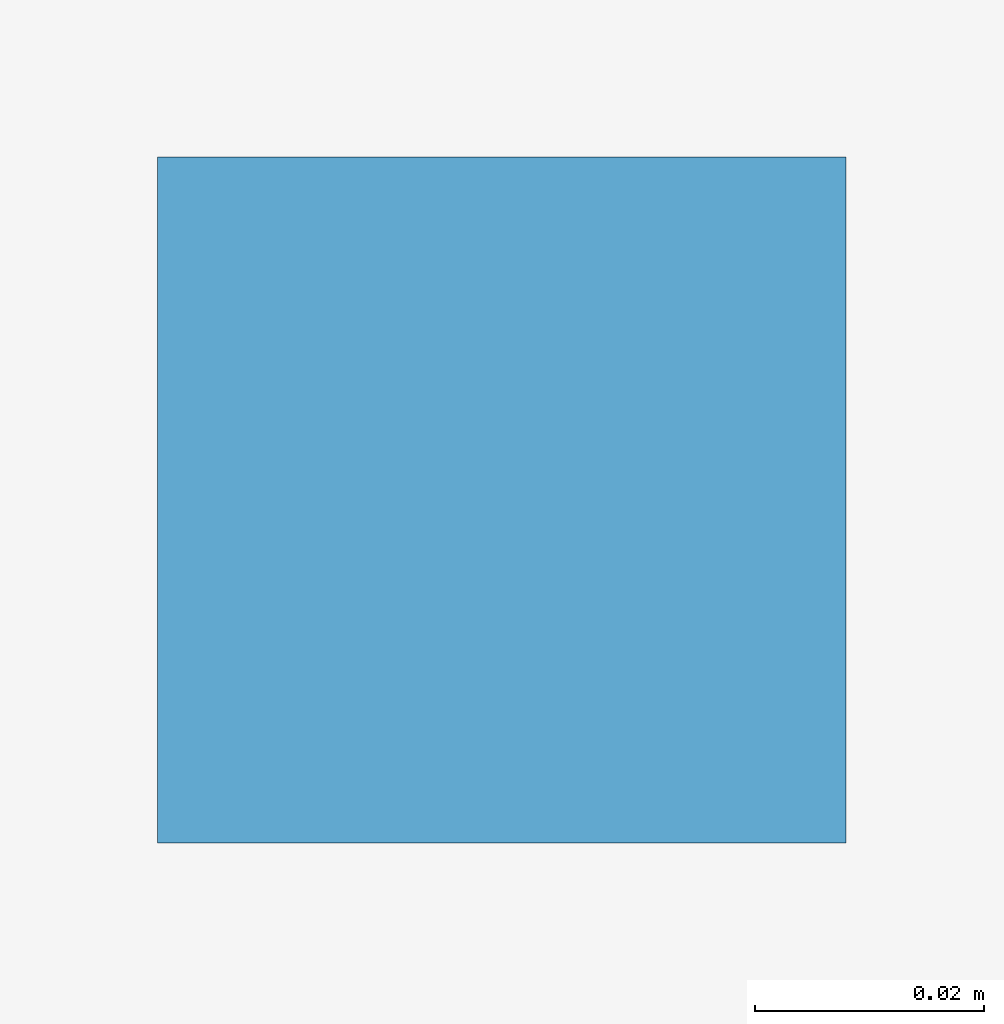
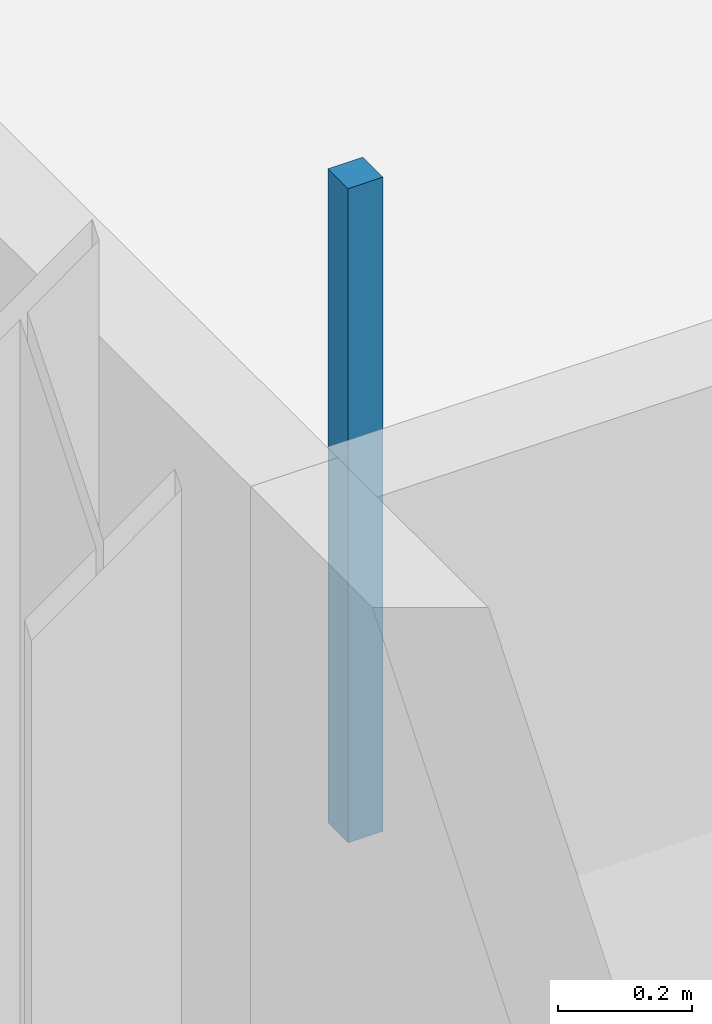
# One storey, part 86 of 107: 1 discrete accessory.
"""IFC4 building model written with IfcOpenShell, lengths in metres."""

import ifcopenshell
import ifcopenshell.guid

model = None  # the IFC model being written
_history = None  # IfcOwnerHistory: only IFC2X3 demands one
_inside = {}  # id of a spatial element -> (the spatial element, [elements in it])
_under = {}  # id of a project, library or spatial element -> (it, [spatial elements below it])
_declared = {}  # id of a project -> (the project, [libraries it declares])
_typed = {}  # id of a type object -> (the type object, [elements of that type])
_made_of = {}  # id of a material, layer set ... -> (it, [elements and type objects made of it])


def new_model(schema):
    """Start an empty IFC model of exactly this schema.

    Asked for "IFC4X3", IfcOpenShell would pick the latest addendum, in which some entities
    have other attributes; the version numbers below select the first issue.
    IFC2X3 requires an IfcOwnerHistory on every rooted entity: one is made here for all.
    """
    global model, _history
    if schema == "IFC4X3":
        model = ifcopenshell.file(schema_version=(4, 3, 0, 0))
    else:
        model = ifcopenshell.file(schema=schema)
    _inside.clear()
    _under.clear()
    _declared.clear()
    _typed.clear()
    _made_of.clear()
    _history = None
    if model.schema == "IFC2X3":
        org = make("IfcOrganization", Name="unknown")
        user = make(
            "IfcPersonAndOrganization",
            ThePerson=make("IfcPerson", FamilyName="unknown"),
            TheOrganization=org,
        )
        app = make(
            "IfcApplication",
            ApplicationDeveloper=org,
            Version="unknown",
            ApplicationFullName="unknown",
            ApplicationIdentifier="unknown",
        )
        _history = make(
            "IfcOwnerHistory",
            OwningUser=user,
            OwningApplication=app,
            ChangeAction="ADDED",
            CreationDate=0,
        )
    return model


def make(cls, **values):
    """One entity of the class cls with the attributes given. An attribute that is None is left unset."""
    return model.create_entity(
        cls, **{name: value for name, value in values.items() if value is not None}
    )


def rooted(cls, **values):
    """An entity with a GlobalId (a new one), such as an element, a storey or a relation."""
    return make(cls, GlobalId=ifcopenshell.guid.new(), OwnerHistory=_history, **values)


def si_unit(unit_type, name, prefix=None):
    """IfcSIUnit, for example si_unit("LENGTHUNIT", "METRE", prefix="MILLI")."""
    return make("IfcSIUnit", UnitType=unit_type, Prefix=prefix, Name=name)


def assignment(units):
    """IfcUnitAssignment: the units of a project."""
    return None if units is None else make("IfcUnitAssignment", Units=units)


def point(xyz):
    """IfcCartesianPoint."""
    return None if xyz is None else make("IfcCartesianPoint", Coordinates=xyz)


def direction(xyz):
    """IfcDirection."""
    return None if xyz is None else make("IfcDirection", DirectionRatios=xyz)


def frame(location, z_axis=None, x_axis=None):
    """IfcAxis2Placement3D, a coordinate frame: its origin and axes. An axis left out is left unset."""
    return make(
        "IfcAxis2Placement3D",
        Location=point(location),
        Axis=direction(z_axis),
        RefDirection=direction(x_axis),
    )


def origin():
    """The frame at (0, 0, 0) with its axes left unset."""
    return frame((0.0, 0.0, 0.0))


def place(relative_to, where):
    """IfcLocalPlacement: puts the frame where relative to a parent placement (None: the world)."""
    return make(
        "IfcLocalPlacement", PlacementRelTo=relative_to, RelativePlacement=where
    )


def context(
    kind, dimensions, precision=None, world=None, true_north=None, identifier=None
):
    """IfcGeometricRepresentationContext, for example the 3D "Model" context."""
    return make(
        "IfcGeometricRepresentationContext",
        ContextIdentifier=identifier,
        ContextType=kind,
        CoordinateSpaceDimension=dimensions,
        Precision=precision,
        WorldCoordinateSystem=world,
        TrueNorth=true_north,
    )


def subcontext(parent, identifier, kind, view, scale=None):
    """IfcGeometricRepresentationSubContext, for example "Body" below "Model"."""
    return make(
        "IfcGeometricRepresentationSubContext",
        ContextIdentifier=identifier,
        ContextType=kind,
        ParentContext=parent,
        TargetScale=scale,
        TargetView=view,
    )


def project(units=None, contexts=None):
    """IfcProject with its units and contexts."""
    return rooted(
        "IfcProject",
        Name="project",
        RepresentationContexts=contexts,
        UnitsInContext=assignment(units),
    )


def spatial(cls, under=None, at=None, **own):
    """A site, building, storey or space (cls), placed at a placement, below another one or the project."""
    s = rooted(cls, ObjectPlacement=at, **own)
    if under is not None:
        _under.setdefault(under.id(), (under, []))[1].append(s)
    return s


def polyline(points):
    """IfcPolyline through the points."""
    return make("IfcPolyline", Points=[point(p) for p in points])


def outline(outer, holes=None, kind="AREA"):
    """IfcArbitraryClosedProfileDef: a profile drawn as a closed curve; with holes, ...WithVoids."""
    if holes is None:
        return make("IfcArbitraryClosedProfileDef", ProfileType=kind, OuterCurve=outer)
    return make(
        "IfcArbitraryProfileDefWithVoids",
        ProfileType=kind,
        OuterCurve=outer,
        InnerCurves=holes,
    )


def extrude(swept, where, along, depth):
    """IfcExtrudedAreaSolid: the profile swept, set in the frame where, extruded along a direction by depth."""
    return make(
        "IfcExtrudedAreaSolid",
        SweptArea=swept,
        Position=where,
        ExtrudedDirection=direction(along),
        Depth=depth,
    )


def shape(context_of_items, identifier, shape_type, items):
    """IfcShapeRepresentation: the items that make up one representation, for example the "Body"."""
    return make(
        "IfcShapeRepresentation",
        ContextOfItems=context_of_items,
        RepresentationIdentifier=identifier,
        RepresentationType=shape_type,
        Items=items,
    )


def material(Name=None, Category=None):
    """IfcMaterial."""
    return make("IfcMaterial", Name=Name, Category=Category)


def made_of(thing, what):
    """Note that an element or type object is made of a material, layer set ...; save() writes the relation."""
    if what is not None:
        _made_of.setdefault(what.id(), (what, []))[1].append(thing)
    return thing


def type_object(cls, material=None, **own):
    """A type object (cls), such as IfcWallType, which elements share."""
    return made_of(rooted(cls, **own), material)


def element(
    cls,
    number,
    at=None,
    inside=None,
    cuts=None,
    type_object=None,
    material=None,
    context=None,
    identifier="Body",
    shape_type=None,
    held_by="IfcProductDefinitionShape",
    body=None,
    shapes=None,
    **own,
):
    """One element of the class cls, such as IfcWall. Its Tag is "e" and its number.

    at: its placement. inside: the storey or other place that contains it. cuts: it is an
    opening in that element (IfcRelVoidsElement). A single representation is given by context,
    identifier, shape_type and body (its items); several are given by shapes. held_by: the class
    of the entity that holds the representations. save() writes the other relations.
    """
    e = rooted(cls, Tag="e%d" % number, ObjectPlacement=at, **own)
    if body is not None:
        shapes = [shape(context, identifier, shape_type, body)]
    if shapes is not None:
        e.Representation = make(held_by, Representations=shapes)
    if inside is not None:
        _inside.setdefault(inside.id(), (inside, []))[1].append(e)
    if cuts is not None:
        rooted(
            "IfcRelVoidsElement", RelatingBuildingElement=cuts, RelatedOpeningElement=e
        )
    if type_object is not None:
        _typed.setdefault(type_object.id(), (type_object, []))[1].append(e)
    return made_of(e, material)


def aggregate(whole, parts):
    """IfcRelAggregates: a whole, such as a stair, and the parts it consists of."""
    return rooted("IfcRelAggregates", RelatingObject=whole, RelatedObjects=parts)


def save(model, path):
    """Write the relations noted so far, then the file.

    IfcRelAggregates (storeys below a building ...), IfcRelContainedInSpatialStructure (elements
    in a storey), IfcRelDefinesByType, IfcRelAssociatesMaterial and IfcRelDeclares: one each for
    every whole, place, type object, material and project.
    """
    for whole, parts in _under.values():
        aggregate(whole, parts)
    for where, things in _inside.values():
        rooted(
            "IfcRelContainedInSpatialStructure",
            RelatedElements=things,
            RelatingStructure=where,
        )
    for kind, things in _typed.values():
        rooted("IfcRelDefinesByType", RelatedObjects=things, RelatingType=kind)
    for what, things in _made_of.values():
        rooted("IfcRelAssociatesMaterial", RelatedObjects=things, RelatingMaterial=what)
    for by, libraries in _declared.values():
        rooted("IfcRelDeclares", RelatingContext=by, RelatedDefinitions=libraries)
    model.write(path)


model = new_model("IFC4")

# Units and contexts
model_context = context("Model", 3, precision=1e-05, world=origin(), true_north=direction((0.0, 1.0)))
body_context = subcontext(model_context, "Body", "Model", "MODEL_VIEW")
ifc_project = project(units=[si_unit("LENGTHUNIT", "METRE"), si_unit("AREAUNIT", "SQUARE_METRE"), si_unit("VOLUMEUNIT", "CUBIC_METRE"), si_unit("PLANEANGLEUNIT", "RADIAN"), si_unit("MASSUNIT", "GRAM", prefix="KILO")], contexts=[model_context])

# Site, building, storey
site_placement = place(None, origin())
site = spatial("IfcSite", under=ifc_project, at=site_placement, CompositionType="ELEMENT")
building_placement = place(site_placement, origin())
building = spatial("IfcBuilding", under=site, at=building_placement, Name="Dunescarp Central Library", CompositionType="ELEMENT")
storey_placement = place(building_placement, frame((0.0, 0.0, 5.10009765625)))
storey = spatial("IfcBuildingStorey", under=building, at=storey_placement, Name="L01", CompositionType="ELEMENT", Elevation=5.10009765625)

# Discrete accessory
ifc_material = material(Name="Stainless steel Grade 316L", Category="steel")
discrete_accessory_type = type_object("IfcDiscreteAccessoryType", Name="ARC-ACC-BRK", PredefinedType="BRACKET", material=ifc_material)
discrete_accessory_placement = place(storey_placement, frame((0.0, 0.0, 3.059814453125)))
element("IfcDiscreteAccessory", 1, at=discrete_accessory_placement, inside=storey, type_object=discrete_accessory_type, Name="L01 ceiling hanger CLG-L01-150-H1", PredefinedType="BRACKET", context=body_context, shape_type="SweptSolid", body=[
    extrude(outline(polyline([(149.419921875, 30.6201171875), (149.47998046875, 30.6201171875), (149.47998046875, 30.679931640625), (149.419921875, 30.679931640625), (149.419921875, 30.6201171875)])), origin(), (0.0, 0.0, 1.0), 1.190185546875),
])

save(model, "model.ifc")
